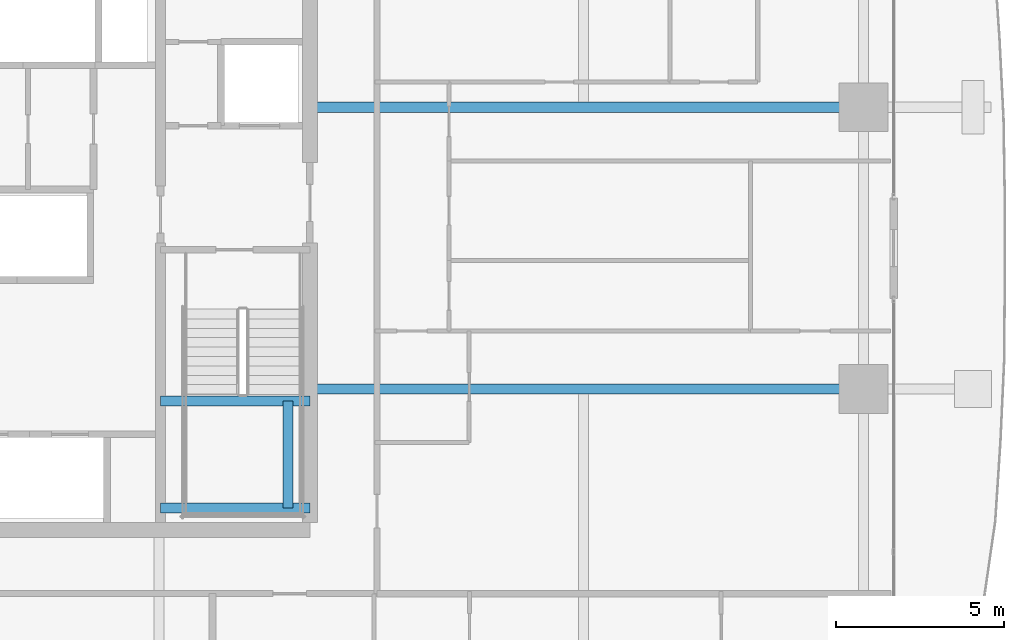
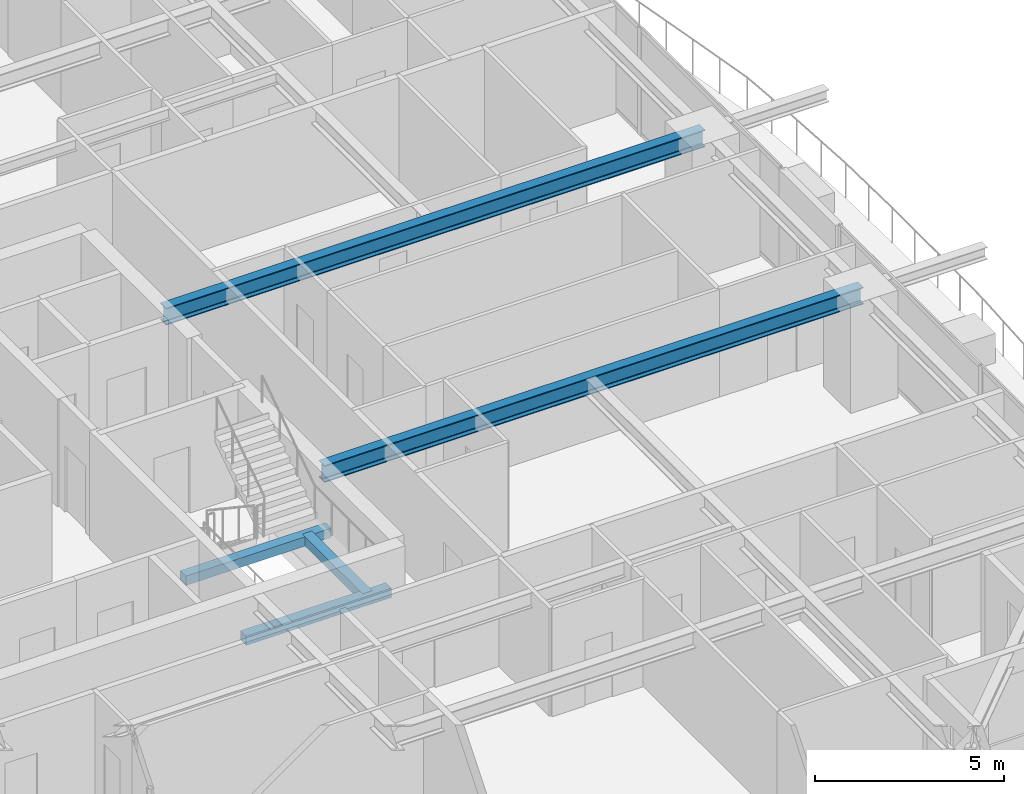
# One storey, part 13 of 37: 5 beams.
"""IFC4 building model written with IfcOpenShell, lengths in metres."""

import ifcopenshell
import ifcopenshell.guid

model = None  # the IFC model being written
_history = None  # IfcOwnerHistory: only IFC2X3 demands one
_inside = {}  # id of a spatial element -> (the spatial element, [elements in it])
_under = {}  # id of a project, library or spatial element -> (it, [spatial elements below it])
_declared = {}  # id of a project -> (the project, [libraries it declares])
_typed = {}  # id of a type object -> (the type object, [elements of that type])
_made_of = {}  # id of a material, layer set ... -> (it, [elements and type objects made of it])


def new_model(schema):
    """Start an empty IFC model of exactly this schema.

    Asked for "IFC4X3", IfcOpenShell would pick the latest addendum, in which some entities
    have other attributes; the version numbers below select the first issue.
    IFC2X3 requires an IfcOwnerHistory on every rooted entity: one is made here for all.
    """
    global model, _history
    if schema == "IFC4X3":
        model = ifcopenshell.file(schema_version=(4, 3, 0, 0))
    else:
        model = ifcopenshell.file(schema=schema)
    _inside.clear()
    _under.clear()
    _declared.clear()
    _typed.clear()
    _made_of.clear()
    _history = None
    if model.schema == "IFC2X3":
        org = make("IfcOrganization", Name="unknown")
        user = make(
            "IfcPersonAndOrganization",
            ThePerson=make("IfcPerson", FamilyName="unknown"),
            TheOrganization=org,
        )
        app = make(
            "IfcApplication",
            ApplicationDeveloper=org,
            Version="unknown",
            ApplicationFullName="unknown",
            ApplicationIdentifier="unknown",
        )
        _history = make(
            "IfcOwnerHistory",
            OwningUser=user,
            OwningApplication=app,
            ChangeAction="ADDED",
            CreationDate=0,
        )
    return model


def make(cls, **values):
    """One entity of the class cls with the attributes given. An attribute that is None is left unset."""
    return model.create_entity(
        cls, **{name: value for name, value in values.items() if value is not None}
    )


def rooted(cls, **values):
    """An entity with a GlobalId (a new one), such as an element, a storey or a relation."""
    return make(cls, GlobalId=ifcopenshell.guid.new(), OwnerHistory=_history, **values)


def si_unit(unit_type, name, prefix=None):
    """IfcSIUnit, for example si_unit("LENGTHUNIT", "METRE", prefix="MILLI")."""
    return make("IfcSIUnit", UnitType=unit_type, Prefix=prefix, Name=name)


def assignment(units):
    """IfcUnitAssignment: the units of a project."""
    return None if units is None else make("IfcUnitAssignment", Units=units)


def point(xyz):
    """IfcCartesianPoint."""
    return None if xyz is None else make("IfcCartesianPoint", Coordinates=xyz)


def direction(xyz):
    """IfcDirection."""
    return None if xyz is None else make("IfcDirection", DirectionRatios=xyz)


def frame(location, z_axis=None, x_axis=None):
    """IfcAxis2Placement3D, a coordinate frame: its origin and axes. An axis left out is left unset."""
    return make(
        "IfcAxis2Placement3D",
        Location=point(location),
        Axis=direction(z_axis),
        RefDirection=direction(x_axis),
    )


def frame_2d(location, x_axis=None):
    """IfcAxis2Placement2D, a coordinate frame in the plane: its origin and x axis."""
    return make(
        "IfcAxis2Placement2D", Location=point(location), RefDirection=direction(x_axis)
    )


def origin():
    """The frame at (0, 0, 0) with its axes left unset."""
    return frame((0.0, 0.0, 0.0))


def origin_2d():
    """The frame at (0, 0) in the plane with its x axis left unset."""
    return frame_2d((0.0, 0.0))


def place(relative_to, where):
    """IfcLocalPlacement: puts the frame where relative to a parent placement (None: the world)."""
    return make(
        "IfcLocalPlacement", PlacementRelTo=relative_to, RelativePlacement=where
    )


def context(
    kind, dimensions, precision=None, world=None, true_north=None, identifier=None
):
    """IfcGeometricRepresentationContext, for example the 3D "Model" context."""
    return make(
        "IfcGeometricRepresentationContext",
        ContextIdentifier=identifier,
        ContextType=kind,
        CoordinateSpaceDimension=dimensions,
        Precision=precision,
        WorldCoordinateSystem=world,
        TrueNorth=true_north,
    )


def subcontext(parent, identifier, kind, view, scale=None):
    """IfcGeometricRepresentationSubContext, for example "Body" below "Model"."""
    return make(
        "IfcGeometricRepresentationSubContext",
        ContextIdentifier=identifier,
        ContextType=kind,
        ParentContext=parent,
        TargetScale=scale,
        TargetView=view,
    )


def project(units=None, contexts=None):
    """IfcProject with its units and contexts."""
    return rooted(
        "IfcProject",
        Name="project",
        RepresentationContexts=contexts,
        UnitsInContext=assignment(units),
    )


def spatial(cls, under=None, at=None, **own):
    """A site, building, storey or space (cls), placed at a placement, below another one or the project."""
    s = rooted(cls, ObjectPlacement=at, **own)
    if under is not None:
        _under.setdefault(under.id(), (under, []))[1].append(s)
    return s


def profile(cls, at=None, kind="AREA", **sizes):
    """A parametric profile (cls). Its sizes go by their IFC names, for example OverallWidth=200.0."""
    return make(cls, ProfileType=kind, Position=at, **sizes)


def rectangle(**sizes):
    """IfcRectangleProfileDef."""
    return profile("IfcRectangleProfileDef", **sizes)


def i_section(**sizes):
    """IfcIShapeProfileDef."""
    return profile("IfcIShapeProfileDef", **sizes)


def extrude(swept, where, along, depth):
    """IfcExtrudedAreaSolid: the profile swept, set in the frame where, extruded along a direction by depth."""
    return make(
        "IfcExtrudedAreaSolid",
        SweptArea=swept,
        Position=where,
        ExtrudedDirection=direction(along),
        Depth=depth,
    )


def shape(context_of_items, identifier, shape_type, items):
    """IfcShapeRepresentation: the items that make up one representation, for example the "Body"."""
    return make(
        "IfcShapeRepresentation",
        ContextOfItems=context_of_items,
        RepresentationIdentifier=identifier,
        RepresentationType=shape_type,
        Items=items,
    )


def source(mapping_origin, context_of_items, identifier, shape_type, items):
    """IfcRepresentationMap: a shape defined once, which mapped items show again and again."""
    return make(
        "IfcRepresentationMap",
        MappingOrigin=mapping_origin,
        MappedRepresentation=shape(context_of_items, identifier, shape_type, items),
    )


def transform(
    local_origin,
    x_axis=None,
    y_axis=None,
    z_axis=None,
    scale=None,
    scale2=None,
    scale3=None,
    uniform=True,
):
    """IfcCartesianTransformationOperator3D, or its non-uniform kind. x_axis, y_axis, z_axis: its Axis1, 2, 3."""
    if uniform:
        return make(
            "IfcCartesianTransformationOperator3D",
            Axis1=direction(x_axis),
            Axis2=direction(y_axis),
            LocalOrigin=point(local_origin),
            Scale=scale,
            Axis3=direction(z_axis),
        )
    return make(
        "IfcCartesianTransformationOperator3DnonUniform",
        Axis1=direction(x_axis),
        Axis2=direction(y_axis),
        LocalOrigin=point(local_origin),
        Scale=scale,
        Axis3=direction(z_axis),
        Scale2=scale2,
        Scale3=scale3,
    )


def mapped(mapping_source, mapping_target):
    """IfcMappedItem: shows the shape of a source again, moved by a transform."""
    return make(
        "IfcMappedItem", MappingSource=mapping_source, MappingTarget=mapping_target
    )


def material(Name=None, Category=None):
    """IfcMaterial."""
    return make("IfcMaterial", Name=Name, Category=Category)


def material_profile(
    of_material, cross_section, Name=None, Category=None, Priority=None
):
    """IfcMaterialProfile: a cross section and its material."""
    return make(
        "IfcMaterialProfile",
        Name=Name,
        Material=of_material,
        Profile=cross_section,
        Priority=Priority,
        Category=Category,
    )


def profile_set(profiles, Name=None, composite=None):
    """IfcMaterialProfileSet."""
    return make(
        "IfcMaterialProfileSet",
        Name=Name,
        MaterialProfiles=profiles,
        CompositeProfile=composite,
    )


def made_of(thing, what):
    """Note that an element or type object is made of a material, layer set ...; save() writes the relation."""
    if what is not None:
        _made_of.setdefault(what.id(), (what, []))[1].append(thing)
    return thing


def type_object(cls, material=None, **own):
    """A type object (cls), such as IfcWallType, which elements share."""
    return made_of(rooted(cls, **own), material)


def element(
    cls,
    number,
    at=None,
    inside=None,
    cuts=None,
    type_object=None,
    material=None,
    context=None,
    identifier="Body",
    shape_type=None,
    held_by="IfcProductDefinitionShape",
    body=None,
    shapes=None,
    **own,
):
    """One element of the class cls, such as IfcWall. Its Tag is "e" and its number.

    at: its placement. inside: the storey or other place that contains it. cuts: it is an
    opening in that element (IfcRelVoidsElement). A single representation is given by context,
    identifier, shape_type and body (its items); several are given by shapes. held_by: the class
    of the entity that holds the representations. save() writes the other relations.
    """
    e = rooted(cls, Tag="e%d" % number, ObjectPlacement=at, **own)
    if body is not None:
        shapes = [shape(context, identifier, shape_type, body)]
    if shapes is not None:
        e.Representation = make(held_by, Representations=shapes)
    if inside is not None:
        _inside.setdefault(inside.id(), (inside, []))[1].append(e)
    if cuts is not None:
        rooted(
            "IfcRelVoidsElement", RelatingBuildingElement=cuts, RelatedOpeningElement=e
        )
    if type_object is not None:
        _typed.setdefault(type_object.id(), (type_object, []))[1].append(e)
    return made_of(e, material)


def aggregate(whole, parts):
    """IfcRelAggregates: a whole, such as a stair, and the parts it consists of."""
    return rooted("IfcRelAggregates", RelatingObject=whole, RelatedObjects=parts)


def save(model, path):
    """Write the relations noted so far, then the file.

    IfcRelAggregates (storeys below a building ...), IfcRelContainedInSpatialStructure (elements
    in a storey), IfcRelDefinesByType, IfcRelAssociatesMaterial and IfcRelDeclares: one each for
    every whole, place, type object, material and project.
    """
    for whole, parts in _under.values():
        aggregate(whole, parts)
    for where, things in _inside.values():
        rooted(
            "IfcRelContainedInSpatialStructure",
            RelatedElements=things,
            RelatingStructure=where,
        )
    for kind, things in _typed.values():
        rooted("IfcRelDefinesByType", RelatedObjects=things, RelatingType=kind)
    for what, things in _made_of.values():
        rooted("IfcRelAssociatesMaterial", RelatedObjects=things, RelatingMaterial=what)
    for by, libraries in _declared.values():
        rooted("IfcRelDeclares", RelatingContext=by, RelatedDefinitions=libraries)
    model.write(path)


model = new_model("IFC4")

# Units and contexts
model_context = context("Model", 3, precision=1e-05, world=origin(), true_north=direction((0.0, 1.0)))
body_context = subcontext(model_context, "Body", "Model", "MODEL_VIEW")
ifc_project = project(units=[si_unit("LENGTHUNIT", "METRE"), si_unit("AREAUNIT", "SQUARE_METRE"), si_unit("VOLUMEUNIT", "CUBIC_METRE"), si_unit("PLANEANGLEUNIT", "RADIAN"), si_unit("MASSUNIT", "GRAM", prefix="KILO")], contexts=[model_context])

# Site, building, storey
site_placement = place(None, origin())
site = spatial("IfcSite", under=ifc_project, at=site_placement, CompositionType="ELEMENT")
building_placement = place(site_placement, origin())
building = spatial("IfcBuilding", under=site, at=building_placement, Name="Serunith Strait Residences", CompositionType="ELEMENT")
storey_placement = place(building_placement, frame((0.0, 0.0, 26.699951171875)))
storey = spatial("IfcBuildingStorey", under=building, at=storey_placement, Name="L05", CompositionType="ELEMENT", Elevation=26.699951171875)

# Beams
ifc_material_1 = material(Name="Steel S355J2", Category="steel")
ifc_material_profile_1 = material_profile(ifc_material_1, i_section(OverallWidth=0.300048828125, OverallDepth=0.550048828125, WebThickness=0.014892578125, FlangeThickness=0.029052734375, FilletRadius=0.027099609375, at=origin_2d()), Name="HEB 550")
ifc_profile_set_1 = profile_set([ifc_material_profile_1], Name="Steel S355J2")
beam_type_1 = type_object("IfcBeamType", Name="BM-HEB550", PredefinedType="BEAM", material=ifc_profile_set_1)
shared_shape_1 = source(origin(), body_context, "Body", "SweptSolid", [
    extrude(i_section(OverallWidth=0.300048828125, OverallDepth=0.550048828125, WebThickness=0.014892578125, FlangeThickness=0.029052734375, FilletRadius=0.027099609375, at=origin_2d()), origin(), (0.0, 0.0, 1.0), 16.5),
])
for number, where, z_axis, x_axis, name in (
    (1, (41.39990234375, 21.0, 3.212158203125), (1.0, 0.0, 0.0), (0.0, 1.0, 0.0), "L05 Primary Floor Girder TC-E2"),
    (2, (41.39990234375, 29.39990234375, 3.212158203125), (1.0, 0.0, 0.0), (0.0, 1.0, 0.0), "L05 Primary Floor Girder TC-E3"),
):
    element("IfcBeam", number, at=place(storey_placement, frame(where, z_axis=z_axis, x_axis=x_axis)), inside=storey, type_object=beam_type_1, Name=name, PredefinedType="BEAM", context=body_context, shape_type="MappedRepresentation", body=[
        mapped(shared_shape_1, transform((0.0, 0.0, 0.0), scale=1.0)),
    ])
ifc_material_2 = material(Name="Concrete C60/75", Category="concrete")
ifc_material_profile_2 = material_profile(ifc_material_2, rectangle(XDim=0.300048828125, YDim=0.300048828125, at=origin_2d()), Name="RC 300x300")
ifc_profile_set_2 = profile_set([ifc_material_profile_2], Name="Concrete C60/75")
beam_type_2 = type_object("IfcBeamType", Name="BM-LAND-300x300", PredefinedType="BEAM", material=ifc_profile_set_2)
shared_shape_2 = source(origin(), body_context, "Body", "SweptSolid", [
    extrude(rectangle(XDim=0.300048828125, YDim=0.300048828125, at=origin_2d()), origin(), (0.0, 0.0, 1.0), 3.199951171875),
])
beam_placement = place(storey_placement, frame((40.75, 17.449951171875, 1.525146484375), z_axis=(0.0, 1.0, 0.0), x_axis=(-1.0, 0.0, 0.0)))
element("IfcBeam", 3, at=beam_placement, inside=storey, type_object=beam_type_2, Name="L05 ST-2 Landing Transverse Tie Beam", PredefinedType="BEAM", context=body_context, shape_type="MappedRepresentation", body=[
    mapped(shared_shape_2, transform((0.0, 0.0, 0.0), scale=1.0)),
])
shared_shape_3 = source(origin(), body_context, "Body", "SweptSolid", [
    extrude(rectangle(XDim=0.300048828125, YDim=0.300048828125, at=origin_2d()), origin(), (0.0, 0.0, 1.0), 4.449951171875),
])
for number, where, z_axis, x_axis, name in (
    (4, (36.949951171875, 17.449951171875, 1.525146484375), (1.0, 0.0, 0.0), (0.0, 1.0, 0.0), "L05 ST-2 Landing Support Beam 1"),
    (5, (36.949951171875, 20.64990234375, 1.525146484375), (1.0, 0.0, 0.0), (0.0, 1.0, 0.0), "L05 ST-2 Landing Support Beam 2"),
):
    element("IfcBeam", number, at=place(storey_placement, frame(where, z_axis=z_axis, x_axis=x_axis)), inside=storey, type_object=beam_type_2, Name=name, PredefinedType="BEAM", context=body_context, shape_type="MappedRepresentation", body=[
        mapped(shared_shape_3, transform((0.0, 0.0, 0.0), scale=1.0)),
    ])

save(model, "model.ifc")
